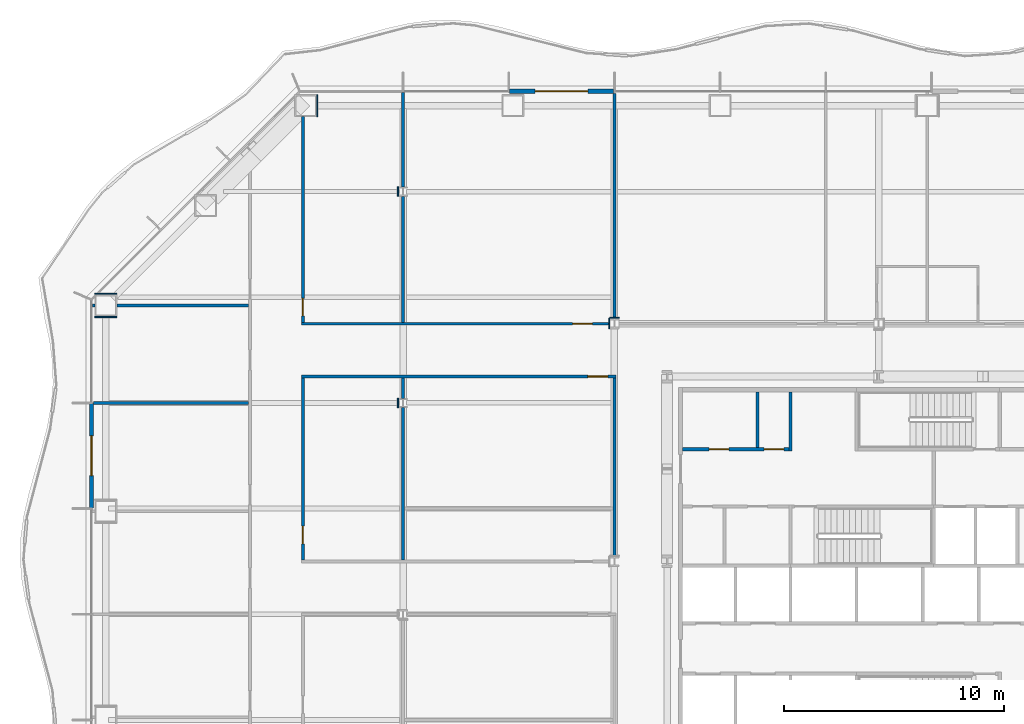
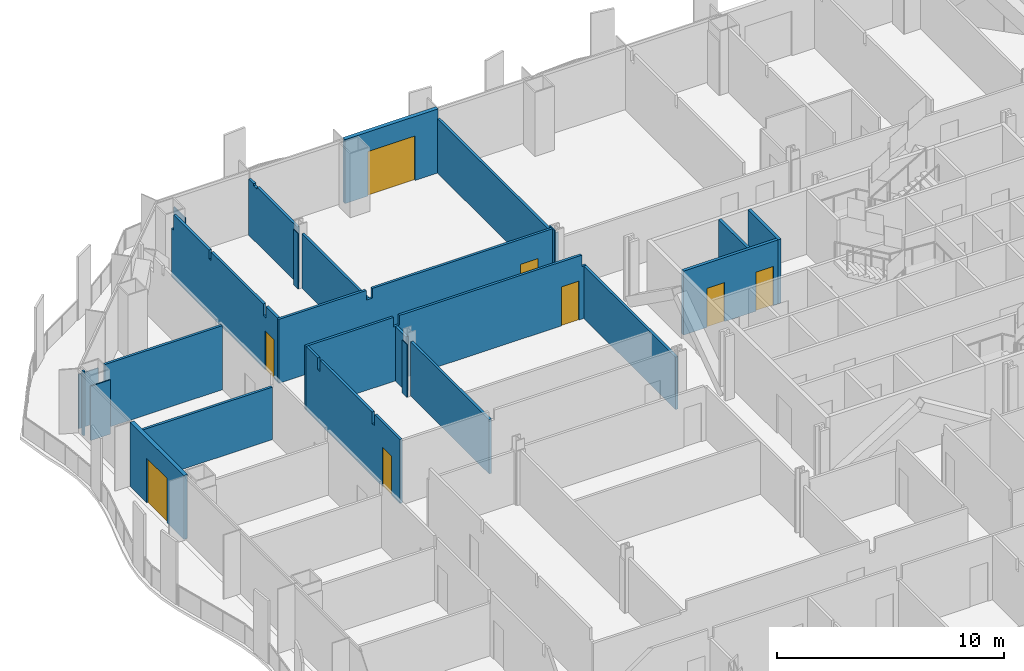
# One storey, part 12 of 21: 25 walls, 8 doors, 8 openings.
"""IFC4 building model written with IfcOpenShell, lengths in metres."""

from ifc_helpers import new_model, si_unit, direction, frame, frame_2d, origin, place, context, subcontext, project, spatial, polyline, rectangle, outline, extrude, material, layer, layer_set, type_object, element, fill, save


model = new_model("IFC4")

# Units and contexts
model_context = context("Model", 3, precision=1e-05, world=origin(), true_north=direction((0.0, 1.0)))
body_context = subcontext(model_context, "Body", "Model", "MODEL_VIEW")
ifc_project = project(units=[si_unit("LENGTHUNIT", "METRE"), si_unit("AREAUNIT", "SQUARE_METRE"), si_unit("VOLUMEUNIT", "CUBIC_METRE"), si_unit("PLANEANGLEUNIT", "RADIAN"), si_unit("MASSUNIT", "GRAM", prefix="KILO")], contexts=[model_context])

# Site, building, storey
site_placement = place(None, origin())
site = spatial("IfcSite", under=ifc_project, at=site_placement, CompositionType="ELEMENT")
building_placement = place(site_placement, origin())
building = spatial("IfcBuilding", under=site, at=building_placement, Name="Cairn Pilgrim Tower", CompositionType="ELEMENT")
storey_placement = place(building_placement, frame((0.0, 0.0, 54.60009765625)))
storey = spatial("IfcBuildingStorey", under=building, at=storey_placement, Name="L11", CompositionType="ELEMENT", Elevation=54.60009765625)

# Wall, opening, door
ifc_material_1 = material(Name="Bronze anodised aluminium insulated sandwich panel with mineral wool fill", Category="aluminium")
ifc_layer_1 = layer(ifc_material_1, 0.199951171875)
ifc_layer_set_1 = layer_set([ifc_layer_1], Name="BRONZE INFILL FRAME WALL 200")
wall_type_1 = type_object("IfcWallType", Name="BRONZE INFILL FRAME WALL 200", PredefinedType="NOTDEFINED", material=ifc_layer_set_1)
wall_1_placement = place(storey_placement, frame((-4.830078125, 23.75, 0.0), z_axis=(0.0, 0.0, 1.0), x_axis=(-1.0, 0.0, 0.0)))
wall_1 = element("IfcWall", 1, at=wall_1_placement, inside=storey, type_object=wall_type_1, Name="Bronze infill frame wall IW-N6", PredefinedType="NOTDEFINED", context=body_context, shape_type="SweptSolid", body=[
    extrude(rectangle(XDim=4.739990234375, YDim=0.199951171875, at=frame_2d((2.3701171875, 0.0))), origin(), (0.0, 0.0, 1.0), 3.449951171875),
])
opening_1_placement = place(wall_1_placement, frame((1.169921875, 0.0, 0.0)))
opening_1 = element("IfcOpeningElement", 2, at=opening_1_placement, cuts=wall_1, Name="Opening 1117B", PredefinedType="OPENING", context=body_context, shape_type="SweptSolid", body=[
    extrude(rectangle(XDim=2.39990234375, YDim=2.39990234375, at=frame_2d((1.199951171875, 1.199951171875))), frame((0.0, 0.10986328125, 0.0), z_axis=(0.0, -1.0, 0.0), x_axis=(1.0, 0.0, 0.0)), (0.0, 0.0, 1.0), 0.219970703125),
])
ifc_material_2 = material(Name="Bronze anodised aluminium frame with tinted low-E glass", Category="aluminium")
door_type_1 = type_object("IfcDoorType", Name="BALCONY SLIDING DOOR 2400x2400", OperationType="DOUBLE_DOOR_SLIDING", PredefinedType="DOOR", material=ifc_material_2)
door_1_placement = place(opening_1_placement, origin())
door_1 = element("IfcDoor", 3, at=door_1_placement, inside=storey, type_object=door_type_1, Name="Balcony sliding door 1117B", OperationType="SINGLE_SWING_LEFT", OverallHeight=2.39990234375, OverallWidth=2.39990234375, PredefinedType="DOOR", context=body_context, shape_type="SweptSolid", body=[
    extrude(rectangle(XDim=2.39990234375, YDim=2.39990234375, at=frame_2d((1.199951171875, 1.199951171875))), frame((0.0, 0.02490234375, 0.0), z_axis=(0.0, -1.0, 0.0), x_axis=(1.0, 0.0, 0.0)), (0.0, 0.0, 1.0), 0.050048828125),
])
fill(opening_1, door_1)

wall_2_placement = place(storey_placement, frame((-28.550048828125, 9.570068359375, 0.0), z_axis=(0.0, 0.0, 1.0), x_axis=(0.0, -1.0, 0.0)))
wall_2 = element("IfcWall", 4, at=wall_2_placement, inside=storey, type_object=wall_type_1, Name="Bronze infill frame wall IW-W2", PredefinedType="NOTDEFINED", context=body_context, shape_type="SweptSolid", body=[
    extrude(rectangle(XDim=4.739990234375, YDim=0.199951171875, at=frame_2d((2.3701171875, 0.0))), origin(), (0.0, 0.0, 1.0), 3.449951171875),
])
opening_2_placement = place(wall_2_placement, frame((1.469970703125, 0.0, 0.0)))
opening_2 = element("IfcOpeningElement", 5, at=opening_2_placement, cuts=wall_2, Name="Opening 1113B", PredefinedType="OPENING", context=body_context, shape_type="SweptSolid", body=[
    extrude(rectangle(XDim=1.800048828125, YDim=2.39990234375, at=frame_2d((0.89990234375, 1.199951171875))), frame((0.0, 0.10986328125, 0.0), z_axis=(0.0, -1.0, 0.0), x_axis=(1.0, 0.0, 0.0)), (0.0, 0.0, 1.0), 0.219970703125),
])
door_type_2 = type_object("IfcDoorType", Name="BALCONY SLIDING DOOR 1800x2400", OperationType="DOUBLE_DOOR_SLIDING", PredefinedType="DOOR", material=ifc_material_2)
door_2_placement = place(opening_2_placement, origin())
door_2 = element("IfcDoor", 6, at=door_2_placement, inside=storey, type_object=door_type_2, Name="Balcony sliding door 1113B", OperationType="SINGLE_SWING_LEFT", OverallHeight=2.39990234375, OverallWidth=1.800048828125, PredefinedType="DOOR", context=body_context, shape_type="SweptSolid", body=[
    extrude(rectangle(XDim=1.800048828125, YDim=2.39990234375, at=frame_2d((0.89990234375, 1.199951171875))), frame((0.0, 0.02490234375, 0.0), z_axis=(0.0, -1.0, 0.0), x_axis=(1.0, 0.0, 0.0)), (0.0, 0.0, 1.0), 0.050048828125),
])
fill(opening_2, door_2)

# Wall, openings, doors
ifc_material_3 = material(Name="Concrete C32/40", Category="concrete")
ifc_layer_2 = layer(ifc_material_3, 0.14990234375)
ifc_layer_set_2 = layer_set([ifc_layer_2], Name="CORE PARTITION 150 EI 60")
wall_type_2 = type_object("IfcWallType", Name="CORE PARTITION 150 EI 60", PredefinedType="PARTITIONING", material=ifc_layer_set_2)
wall_3_placement = place(storey_placement, frame((-1.699951171875, 7.5, 0.0), z_axis=(0.0, 0.0, 1.0), x_axis=(1.0, 0.0, 0.0)))
wall_3 = element("IfcWall", 7, at=wall_3_placement, inside=storey, type_object=wall_type_2, Name="CW:L11:H09", PredefinedType="PARTITIONING", context=body_context, shape_type="SweptSolid", body=[
    extrude(rectangle(XDim=4.824951171875, YDim=0.14990234375, at=frame_2d((2.41259765625, 0.0))), origin(), (0.0, 0.0, 1.0), 3.449951171875),
])
opening_3_placement = place(wall_3_placement, frame((1.199951171875, 0.0, 0.0)))
opening_3 = element("IfcOpeningElement", 8, at=opening_3_placement, cuts=wall_3, Name="Opening RD-R4W1", PredefinedType="OPENING", context=body_context, shape_type="SweptSolid", body=[
    extrude(rectangle(XDim=0.89990234375, YDim=2.10009765625, at=frame_2d((0.449951171875, 1.050048828125))), frame((0.0, 0.0849609375, 0.0), z_axis=(0.0, -1.0, 0.0), x_axis=(1.0, 0.0, 0.0)), (0.0, 0.0, 1.0), 0.169921875),
])
opening_4_placement = place(wall_3_placement, frame((3.699951171875, 0.0, 0.0)))
opening_4 = element("IfcOpeningElement", 9, at=opening_4_placement, cuts=wall_3, Name="Opening RD-R4W2", PredefinedType="OPENING", context=body_context, shape_type="SweptSolid", body=[
    extrude(rectangle(XDim=0.89990234375, YDim=2.10009765625, at=frame_2d((0.449951171875, 1.050048828125))), frame((0.0, 0.0849609375, 0.0), z_axis=(0.0, -1.0, 0.0), x_axis=(1.0, 0.0, 0.0)), (0.0, 0.0, 1.0), 0.169921875),
])
ifc_material_4 = material(Name="Painted steel", Category="steel")
door_type_3 = type_object("IfcDoorType", Name="SERVICE ROOM DOOR 900x2100", OperationType="SINGLE_SWING_LEFT", PredefinedType="DOOR", material=ifc_material_4)
door_3_placement = place(opening_3_placement, origin())
door_3 = element("IfcDoor", 10, at=door_3_placement, inside=storey, type_object=door_type_3, Name="RD-R4W1", OperationType="SINGLE_SWING_LEFT", OverallHeight=2.10009765625, OverallWidth=0.89990234375, PredefinedType="DOOR", context=body_context, shape_type="SweptSolid", body=[
    extrude(rectangle(XDim=0.89990234375, YDim=2.10009765625, at=frame_2d((0.449951171875, 1.050048828125))), frame((0.0, 0.02490234375, 0.0), z_axis=(0.0, -1.0, 0.0), x_axis=(1.0, 0.0, 0.0)), (0.0, 0.0, 1.0), 0.050048828125),
])
fill(opening_3, door_3)
door_4_placement = place(opening_4_placement, origin())
door_4 = element("IfcDoor", 11, at=door_4_placement, inside=storey, type_object=door_type_3, Name="RD-R4W2", OperationType="SINGLE_SWING_RIGHT", OverallHeight=2.10009765625, OverallWidth=0.89990234375, PredefinedType="DOOR", context=body_context, shape_type="SweptSolid", body=[
    extrude(rectangle(XDim=0.89990234375, YDim=2.10009765625, at=frame_2d((0.449951171875, 1.050048828125))), frame((0.0, 0.02490234375, 0.0), z_axis=(0.0, -1.0, 0.0), x_axis=(1.0, 0.0, 0.0)), (0.0, 0.0, 1.0), 0.050048828125),
])
fill(opening_4, door_4)

# Walls
wall_4_placement = place(storey_placement, frame((1.699951171875, 7.574951171875, 0.0), z_axis=(0.0, 0.0, 1.0), x_axis=(0.0, 1.0, 0.0)))
element("IfcWall", 12, at=wall_4_placement, inside=storey, type_object=wall_type_2, Name="CW:L11:V16", PredefinedType="PARTITIONING", context=body_context, shape_type="SweptSolid", body=[
    extrude(rectangle(XDim=2.525146484375, YDim=0.14990234375, at=frame_2d((1.2626953125, 0.0))), origin(), (0.0, 0.0, 1.0), 3.449951171875),
])
wall_5_placement = place(storey_placement, frame((3.199951171875, 7.425048828125, 0.0), z_axis=(0.0, 0.0, 1.0), x_axis=(0.0, 1.0, 0.0)))
element("IfcWall", 13, at=wall_5_placement, inside=storey, type_object=wall_type_2, Name="CW:L11:V20", PredefinedType="PARTITIONING", context=body_context, shape_type="SweptSolid", body=[
    extrude(rectangle(XDim=2.675048828125, YDim=0.14990234375, at=frame_2d((1.33740234375, 0.0))), origin(), (0.0, 0.0, 1.0), 3.449951171875),
])

# Wall, opening, door
ifc_material_5 = material(Name="Gypsum partition")
ifc_layer_3 = layer(ifc_material_5, 0.125)
ifc_layer_set_3 = layer_set([ifc_layer_3], Name="PARTITION 125 DRYWALL EI 60")
wall_type_3 = type_object("IfcWallType", Name="PARTITION 125 DRYWALL EI 60", PredefinedType="PARTITIONING", material=ifc_layer_set_3)
wall_6_placement = place(storey_placement, frame((-18.949951171875, 2.46240234375, 0.0), z_axis=(0.0, 0.0, 1.0), x_axis=(0.0, 1.0, 0.0)))
wall_6 = element("IfcWall", 14, at=wall_6_placement, inside=storey, type_object=wall_type_3, Name="PARTITION W051", PredefinedType="PARTITIONING", context=body_context, shape_type="SweptSolid", body=[
    extrude(outline(polyline([(0.0, 0.0), (8.275146484375, 0.0), (8.27490234375, 3.449951171875), (7.24755859375, 3.449951171875), (7.24560546875, 2.829833984375), (7.027587890625, 2.829833984375), (7.025390625, 3.449951171875), (2.447509765625, 3.449951171875), (2.445556640625, 2.829833984375), (2.2275390625, 2.829833984375), (2.2255859375, 3.449951171875), (0.0, 3.449951171875), (0.0, 0.0)])), frame((0.0, 0.0625, 0.0), z_axis=(0.0, -1.0, 0.0), x_axis=(1.0, 0.0, 0.0)), (0.0, 0.0, 1.0), 0.125),
])
opening_5_placement = place(wall_6_placement, frame((0.737548828125, 0.0, 0.0)))
opening_5 = element("IfcOpeningElement", 15, at=opening_5_placement, cuts=wall_6, Name="Opening 1133", PredefinedType="OPENING", context=body_context, shape_type="SweptSolid", body=[
    extrude(rectangle(XDim=0.800048828125, YDim=2.10009765625, at=frame_2d((0.39990234375, 1.050048828125))), frame((0.0, 0.072509765625, 0.0), z_axis=(0.0, -1.0, 0.0), x_axis=(1.0, 0.0, 0.0)), (0.0, 0.0, 1.0), 0.14501953125),
])
ifc_material_6 = material(Name="Steel-faced fire door leaf", Category="steel")
door_type_4 = type_object("IfcDoorType", Name="FIRE DOOR 800x2100 FD30S", OperationType="NOTDEFINED", PredefinedType="DOOR", material=ifc_material_6)
door_5_placement = place(opening_5_placement, frame((0.800048828125, 0.0, 0.0), z_axis=(0.0, 0.0, 1.0), x_axis=(-1.0, 0.0, 0.0)))
door_5 = element("IfcDoor", 16, at=door_5_placement, inside=storey, type_object=door_type_4, Name="DOOR 1133", OperationType="SINGLE_SWING_RIGHT", OverallHeight=2.10009765625, OverallWidth=0.800048828125, PredefinedType="DOOR", context=body_context, shape_type="SweptSolid", body=[
    extrude(rectangle(XDim=0.800048828125, YDim=2.10009765625, at=frame_2d((0.39990234375, 1.050048828125))), frame((0.0, 0.02490234375, 0.0), z_axis=(0.0, -1.0, 0.0), x_axis=(1.0, 0.0, 0.0)), (0.0, 0.0, 1.0), 0.050048828125),
])
fill(opening_5, door_5)

# Walls
wall_7_placement = place(storey_placement, frame((-14.39990234375, 2.46240234375, 0.0), z_axis=(0.0, 0.0, 1.0), x_axis=(0.0, 1.0, 0.0)))
element("IfcWall", 17, at=wall_7_placement, inside=storey, type_object=wall_type_3, Name="PARTITION W052", PredefinedType="PARTITIONING", context=body_context, shape_type="SweptSolid", body=[
    extrude(rectangle(XDim=6.925048828125, YDim=0.125, at=frame_2d((3.46240234375, 0.0))), origin(), (0.0, 0.0, 1.0), 2.929931640625),
])
wall_8_placement = place(storey_placement, frame((-4.800048828125, 2.636962890625, 0.0), z_axis=(0.0, 0.0, 1.0), x_axis=(0.0, 1.0, 0.0)))
element("IfcWall", 18, at=wall_8_placement, inside=storey, type_object=wall_type_3, Name="PARTITION W053", PredefinedType="PARTITIONING", context=body_context, shape_type="SweptSolid", body=[
    extrude(rectangle(XDim=8.1005859375, YDim=0.125, at=frame_2d((4.05029296875, 0.0))), origin(), (0.0, 0.0, 1.0), 2.829833984375),
])
wall_9_placement = place(storey_placement, frame((-28.449951171875, 9.60009765625, 0.0), z_axis=(0.0, 0.0, 1.0), x_axis=(1.0, 0.0, 0.0)))
element("IfcWall", 19, at=wall_9_placement, inside=storey, type_object=wall_type_3, Name="PARTITION W062", PredefinedType="PARTITIONING", context=body_context, shape_type="SweptSolid", body=[
    extrude(rectangle(XDim=7.037353515625, YDim=0.125, at=frame_2d((3.5185546875, 0.0))), origin(), (0.0, 0.0, 1.0), 2.829833984375),
])
wall_10_placement = place(storey_placement, frame((-14.39990234375, 9.8125, 0.0), z_axis=(0.0, 0.0, 1.0), x_axis=(0.0, 1.0, 0.0)))
element("IfcWall", 20, at=wall_10_placement, inside=storey, type_object=wall_type_3, Name="PARTITION W064", PredefinedType="PARTITIONING", context=body_context, shape_type="SweptSolid", body=[
    extrude(rectangle(XDim=0.925048828125, YDim=0.125, at=frame_2d((0.46240234375, 0.0))), origin(), (0.0, 0.0, 1.0), 2.929931640625),
])

# Wall, opening, door
wall_11_placement = place(storey_placement, frame((-19.012451171875, 10.800048828125, 0.0), z_axis=(0.0, 0.0, 1.0), x_axis=(1.0, 0.0, 0.0)))
wall_11 = element("IfcWall", 21, at=wall_11_placement, inside=storey, type_object=wall_type_3, Name="PARTITION W065", PredefinedType="PARTITIONING", context=body_context, shape_type="SweptSolid", body=[
    extrude(outline(polyline([(0.0, 0.0), (14.27490234375, 0.0), (14.27490234375, 2.829833984375), (14.0625, 2.829833984375), (14.060546875, 3.449951171875), (4.762451171875, 3.449951171875), (4.760498046875, 2.929931640625), (4.46240234375, 2.929931640625), (4.46044921875, 3.449951171875), (0.0, 3.449951171875), (0.0, 0.0)])), frame((0.0, 0.0625, 0.0), z_axis=(0.0, -1.0, 0.0), x_axis=(1.0, 0.0, 0.0)), (0.0, 0.0, 1.0), 0.125),
])
opening_6_placement = place(wall_11_placement, frame((13.012451171875, 0.0, 0.0)))
opening_6 = element("IfcOpeningElement", 22, at=opening_6_placement, cuts=wall_11, Name="Opening 1131", PredefinedType="OPENING", context=body_context, shape_type="SweptSolid", body=[
    extrude(rectangle(XDim=0.89990234375, YDim=2.10009765625, at=frame_2d((0.449951171875, 1.050048828125))), frame((0.0, 0.072509765625, 0.0), z_axis=(0.0, -1.0, 0.0), x_axis=(1.0, 0.0, 0.0)), (0.0, 0.0, 1.0), 0.14501953125),
])
door_type_5 = type_object("IfcDoorType", Name="FIRE DOOR 900x2100 FD30S", OperationType="NOTDEFINED", PredefinedType="DOOR", material=ifc_material_6)
door_6_placement = place(opening_6_placement, frame((0.89990234375, 0.0, 0.0), z_axis=(0.0, 0.0, 1.0), x_axis=(-1.0, 0.0, 0.0)))
door_6 = element("IfcDoor", 23, at=door_6_placement, inside=storey, type_object=door_type_5, Name="DOOR 1131", OperationType="SINGLE_SWING_RIGHT", OverallHeight=2.10009765625, OverallWidth=0.89990234375, PredefinedType="DOOR", context=body_context, shape_type="SweptSolid", body=[
    extrude(rectangle(XDim=0.89990234375, YDim=2.10009765625, at=frame_2d((0.449951171875, 1.050048828125))), frame((0.0, 0.02490234375, 0.0), z_axis=(0.0, -1.0, 0.0), x_axis=(1.0, 0.0, 0.0)), (0.0, 0.0, 1.0), 0.050048828125),
])
fill(opening_6, door_6)

wall_12_placement = place(storey_placement, frame((-19.012451171875, 13.199951171875, 0.0), z_axis=(0.0, 0.0, 1.0), x_axis=(1.0, 0.0, 0.0)))
wall_12 = element("IfcWall", 24, at=wall_12_placement, inside=storey, type_object=wall_type_3, Name="PARTITION W066", PredefinedType="PARTITIONING", context=body_context, shape_type="SweptSolid", body=[
    extrude(outline(polyline([(0.0, 0.0), (14.00048828125, 0.0), (14.00048828125, 3.449951171875), (4.762451171875, 3.449951171875), (4.760498046875, 2.929931640625), (4.46240234375, 2.929931640625), (4.46044921875, 3.449951171875), (0.0, 3.449951171875), (0.0, 0.0)])), frame((0.0, 0.0625, 0.0), z_axis=(0.0, -1.0, 0.0), x_axis=(1.0, 0.0, 0.0)), (0.0, 0.0, 1.0), 0.125),
])
opening_7_placement = place(wall_12_placement, frame((12.3125, 0.0, 0.0)))
opening_7 = element("IfcOpeningElement", 25, at=opening_7_placement, cuts=wall_12, Name="Opening 1117", PredefinedType="OPENING", context=body_context, shape_type="SweptSolid", body=[
    extrude(rectangle(XDim=0.89990234375, YDim=2.10009765625, at=frame_2d((0.449951171875, 1.050048828125))), frame((0.0, 0.072509765625, 0.0), z_axis=(0.0, -1.0, 0.0), x_axis=(1.0, 0.0, 0.0)), (0.0, 0.0, 1.0), 0.14501953125),
])
door_7_placement = place(opening_7_placement, origin())
door_7 = element("IfcDoor", 26, at=door_7_placement, inside=storey, type_object=door_type_5, Name="DOOR 1117", OperationType="SINGLE_SWING_RIGHT", OverallHeight=2.10009765625, OverallWidth=0.89990234375, PredefinedType="DOOR", context=body_context, shape_type="SweptSolid", body=[
    extrude(rectangle(XDim=0.89990234375, YDim=2.10009765625, at=frame_2d((0.449951171875, 1.050048828125))), frame((0.0, 0.02490234375, 0.0), z_axis=(0.0, -1.0, 0.0), x_axis=(1.0, 0.0, 0.0)), (0.0, 0.0, 1.0), 0.050048828125),
])
fill(opening_7, door_7)

wall_13_placement = place(storey_placement, frame((-18.949951171875, 13.262451171875, 0.0), z_axis=(0.0, 0.0, 1.0), x_axis=(0.0, 1.0, 0.0)))
wall_13 = element("IfcWall", 27, at=wall_13_placement, inside=storey, type_object=wall_type_3, Name="PARTITION W069", PredefinedType="PARTITIONING", context=body_context, shape_type="SweptSolid", body=[
    extrude(outline(polyline([(0.0, 0.0), (9.337646484375, 0.0), (9.33740234375, 2.6298828125), (9.1572265625, 2.6298828125), (9.1552734375, 3.449951171875), (6.032470703125, 3.449951171875), (6.030517578125, 2.97998046875), (5.842529296875, 2.97998046875), (5.840576171875, 3.449951171875), (1.24755859375, 3.449951171875), (1.24560546875, 2.829833984375), (1.027587890625, 2.829833984375), (1.025390625, 3.449951171875), (0.0, 3.449951171875), (0.0, 0.0)])), frame((0.0, 0.0625, 0.0), z_axis=(0.0, -1.0, 0.0), x_axis=(1.0, 0.0, 0.0)), (0.0, 0.0, 1.0), 0.125),
])
opening_8_placement = place(wall_13_placement, frame((0.28759765625, 0.0, 0.0)))
opening_8 = element("IfcOpeningElement", 28, at=opening_8_placement, cuts=wall_13, Name="Opening 1116", PredefinedType="OPENING", context=body_context, shape_type="SweptSolid", body=[
    extrude(rectangle(XDim=0.800048828125, YDim=2.10009765625, at=frame_2d((0.39990234375, 1.050048828125))), frame((0.0, 0.072509765625, 0.0), z_axis=(0.0, -1.0, 0.0), x_axis=(1.0, 0.0, 0.0)), (0.0, 0.0, 1.0), 0.14501953125),
])
door_8_placement = place(opening_8_placement, frame((0.800048828125, 0.0, 0.0), z_axis=(0.0, 0.0, 1.0), x_axis=(-1.0, 0.0, 0.0)))
door_8 = element("IfcDoor", 29, at=door_8_placement, inside=storey, type_object=door_type_4, Name="DOOR 1116", OperationType="SINGLE_SWING_LEFT", OverallHeight=2.10009765625, OverallWidth=0.800048828125, PredefinedType="DOOR", context=body_context, shape_type="SweptSolid", body=[
    extrude(rectangle(XDim=0.800048828125, YDim=2.10009765625, at=frame_2d((0.39990234375, 1.050048828125))), frame((0.0, 0.02490234375, 0.0), z_axis=(0.0, -1.0, 0.0), x_axis=(1.0, 0.0, 0.0)), (0.0, 0.0, 1.0), 0.050048828125),
])
fill(opening_8, door_8)

# Walls
wall_14_placement = place(storey_placement, frame((-14.39990234375, 13.262451171875, 0.0), z_axis=(0.0, 0.0, 1.0), x_axis=(0.0, 1.0, 0.0)))
element("IfcWall", 30, at=wall_14_placement, inside=storey, type_object=wall_type_3, Name="PARTITION W070", PredefinedType="PARTITIONING", context=body_context, shape_type="SweptSolid", body=[
    extrude(rectangle(XDim=5.72509765625, YDim=0.125, at=frame_2d((2.862548828125, 0.0))), origin(), (0.0, 0.0, 1.0), 2.929931640625),
])
wall_15_placement = place(storey_placement, frame((-4.800048828125, 13.43701171875, 0.0), z_axis=(0.0, 0.0, 1.0), x_axis=(0.0, 1.0, 0.0)))
element("IfcWall", 31, at=wall_15_placement, inside=storey, type_object=wall_type_3, Name="PARTITION W075", PredefinedType="PARTITIONING", context=body_context, shape_type="SweptSolid", body=[
    extrude(rectangle(XDim=10.212890625, YDim=0.125, at=frame_2d((5.1064453125, 0.0))), origin(), (0.0, 0.0, 1.0), 2.929931640625),
])
wall_16_placement = place(storey_placement, frame((-28.5029296875, 14.027099609375, 0.0), z_axis=(0.0, 0.0, 1.0), x_axis=(1.0, 0.0, 0.0)))
element("IfcWall", 32, at=wall_16_placement, inside=storey, type_object=wall_type_3, Name="PARTITION W078", PredefinedType="PARTITIONING", context=body_context, shape_type="SweptSolid", body=[
    extrude(rectangle(XDim=0.10302734375, YDim=0.125, at=frame_2d((0.051513671875, 0.0))), origin(), (0.0, 0.0, 1.0), 3.449951171875),
])
wall_17_placement = place(storey_placement, frame((-27.39990234375, 14.027099609375, 0.0), z_axis=(0.0, 0.0, 1.0), x_axis=(1.0, 0.0, 0.0)))
element("IfcWall", 33, at=wall_17_placement, inside=storey, type_object=wall_type_3, Name="PARTITION W079", PredefinedType="PARTITIONING", context=body_context, shape_type="SweptSolid", body=[
    extrude(rectangle(XDim=5.9873046875, YDim=0.125, at=frame_2d((2.99365234375, 0.0))), origin(), (0.0, 0.0, 1.0), 3.449951171875),
])
wall_18_placement = place(storey_placement, frame((-14.39990234375, 19.41259765625, 0.0), z_axis=(0.0, 0.0, 1.0), x_axis=(0.0, 1.0, 0.0)))
element("IfcWall", 34, at=wall_18_placement, inside=storey, type_object=wall_type_3, Name="PARTITION W082", PredefinedType="PARTITIONING", context=body_context, shape_type="SweptSolid", body=[
    extrude(outline(polyline([(0.0, 0.0), (4.27734375, 0.0), (4.277587890625, 3.02978515625), (3.83740234375, 3.02978515625), (3.83544921875, 2.929931640625), (3.53759765625, 2.929931640625), (3.535400390625, 3.02978515625), (0.0, 3.02978515625), (0.0, 0.0)])), frame((0.0, 0.0625, 0.0), z_axis=(0.0, -1.0, 0.0), x_axis=(1.0, 0.0, 0.0)), (0.0, 0.0, 1.0), 0.125),
])
ifc_layer_4 = layer(ifc_material_5, 0.050048828125)
ifc_layer_set_4 = layer_set([ifc_layer_4], Name="PARTITION 50 DRYWALL EI 60")
wall_type_4 = type_object("IfcWallType", Name="PARTITION 50 DRYWALL EI 60", PredefinedType="PARTITIONING", material=ifc_layer_set_4)
wall_19_placement = place(storey_placement, frame((-14.62939453125, 9.387451171875, 0.0), z_axis=(0.0, 0.0, 1.0), x_axis=(0.0, 1.0, 0.0)))
element("IfcWall", 35, at=wall_19_placement, inside=storey, type_object=wall_type_4, Name="COLUMN CASING WC24", PredefinedType="PARTITIONING", context=body_context, shape_type="SweptSolid", body=[
    extrude(rectangle(XDim=0.425048828125, YDim=0.050048828125, at=frame_2d((0.21240234375, 0.0))), origin(), (0.0, 0.0, 1.0), 2.829833984375),
])
wall_20_placement = place(storey_placement, frame((-5.011962890625, 13.4619140625, 0.0), z_axis=(0.0, 0.0, 1.0), x_axis=(1.0, 0.0, 0.0)))
element("IfcWall", 36, at=wall_20_placement, inside=storey, type_object=wall_type_4, Name="COLUMN CASING WC30", PredefinedType="PARTITIONING", context=body_context, shape_type="SweptSolid", body=[
    extrude(rectangle(XDim=0.424072265625, YDim=0.050048828125, at=frame_2d((0.2119140625, 0.0))), origin(), (0.0, 0.0, 1.0), 2.929931640625),
])
wall_21_placement = place(storey_placement, frame((-18.30224609375, 22.60009765625, 0.0), z_axis=(0.0, 0.0, 1.0), x_axis=(0.0, 1.0, 0.0)))
element("IfcWall", 37, at=wall_21_placement, inside=storey, type_object=wall_type_4, Name="COLUMN CASING WC34", PredefinedType="PARTITIONING", context=body_context, shape_type="SweptSolid", body=[
    extrude(rectangle(XDim=1.0, YDim=0.050048828125, at=frame_2d((0.5, 0.0))), origin(), (0.0, 0.0, 1.0), 2.929931640625),
])
wall_22_placement = place(storey_placement, frame((-14.62939453125, 18.987548828125, 0.0), z_axis=(0.0, 0.0, 1.0), x_axis=(0.0, 1.0, 0.0)))
element("IfcWall", 38, at=wall_22_placement, inside=storey, type_object=wall_type_4, Name="COLUMN CASING WC35", PredefinedType="PARTITIONING", context=body_context, shape_type="SweptSolid", body=[
    extrude(rectangle(XDim=0.425048828125, YDim=0.050048828125, at=frame_2d((0.21240234375, 0.0))), origin(), (0.0, 0.0, 1.0), 2.97998046875),
])
wall_23_placement = place(storey_placement, frame((-5.037109375, 12.962890625, 0.0), z_axis=(0.0, 0.0, 1.0), x_axis=(0.0, 1.0, 0.0)))
element("IfcWall", 39, at=wall_23_placement, inside=storey, type_object=wall_type_4, Name="COLUMN CASING WC36", PredefinedType="PARTITIONING", context=body_context, shape_type="SweptSolid", body=[
    extrude(rectangle(XDim=0.47412109375, YDim=0.050048828125, at=frame_2d((0.237060546875, 0.0))), origin(), (0.0, 0.0, 1.0), 3.449951171875),
])
for number, where, z_axis, x_axis, name in (
    (40, (-28.39990234375, 14.55224609375, 0.0), (0.0, 0.0, 1.0), (1.0, 0.0, 0.0), "COLUMN CASING WC40"),
    (41, (-28.39990234375, 13.502197265625, 0.0), (0.0, 0.0, 1.0), (1.0, 0.0, 0.0), "COLUMN CASING WC41"),
):
    element("IfcWall", number, at=place(storey_placement, frame(where, z_axis=z_axis, x_axis=x_axis)), inside=storey, type_object=wall_type_4, Name=name, PredefinedType="PARTITIONING", context=body_context, shape_type="SweptSolid", body=[
        extrude(rectangle(XDim=1.0, YDim=0.050048828125, at=frame_2d((0.5, 0.0))), origin(), (0.0, 0.0, 1.0), 2.929931640625),
    ])

save(model, "model.ifc")
